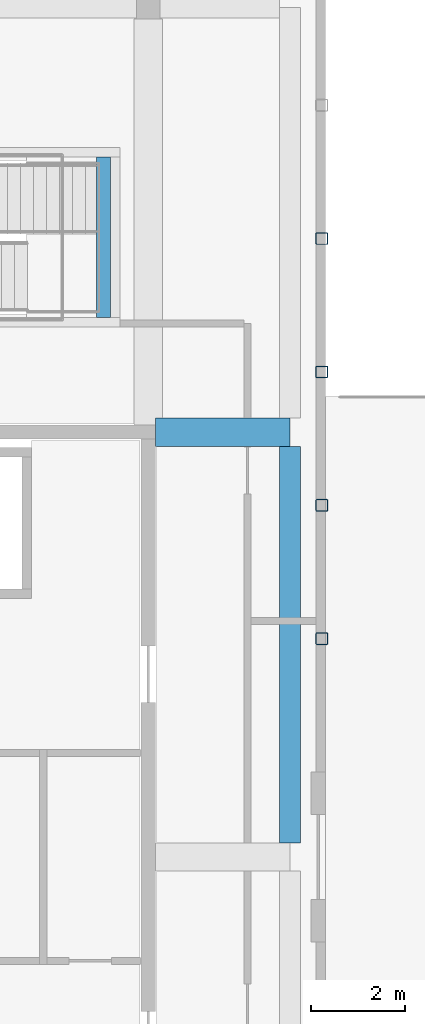
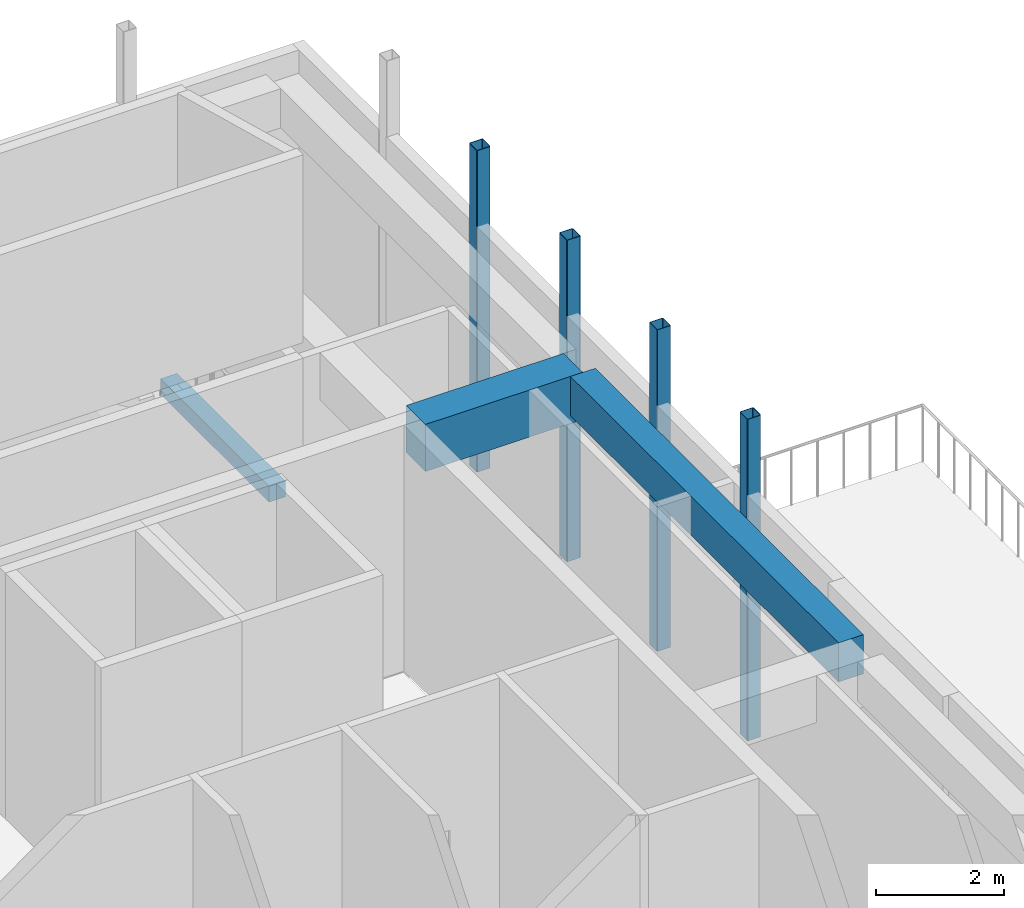
# One storey, part 5 of 11: 4 members, 3 beams.
"""IFC4 building model written with IfcOpenShell, lengths in metres."""

from ifc_helpers import new_model, si_unit, direction, frame, origin, origin_2d, place, context, subcontext, project, spatial, rectangle, hollow_rectangle, extrude, material, material_profile, profile_set, type_object, element, save


model = new_model("IFC4")

# Units and contexts
model_context = context("Model", 3, precision=1e-05, world=origin(), true_north=direction((0.0, 1.0)))
body_context = subcontext(model_context, "Body", "Model", "MODEL_VIEW")
ifc_project = project(units=[si_unit("LENGTHUNIT", "METRE"), si_unit("AREAUNIT", "SQUARE_METRE"), si_unit("VOLUMEUNIT", "CUBIC_METRE"), si_unit("PLANEANGLEUNIT", "RADIAN"), si_unit("MASSUNIT", "GRAM", prefix="KILO")], contexts=[model_context])

# Site, building, storey
site_placement = place(None, origin())
site = spatial("IfcSite", under=ifc_project, at=site_placement, CompositionType="ELEMENT")
building_placement = place(site_placement, origin())
building = spatial("IfcBuilding", under=site, at=building_placement, Name="Tuart Plaza Theatre", CompositionType="ELEMENT")
storey_placement = place(building_placement, frame((0.0, 0.0, 65.5)))
storey = spatial("IfcBuildingStorey", under=building, at=storey_placement, Name="L16", CompositionType="ELEMENT", Elevation=65.5)

# Beams
ifc_material_1 = material(Name="Concrete N40 (40 MPa)", Category="concrete")
ifc_material_profile_1 = material_profile(ifc_material_1, rectangle(XDim=0.300048828125, YDim=0.300048828125, at=origin_2d()), Name="BEAM 300x300 Concrete N40 (40 MPa)")
ifc_profile_set_1 = profile_set([ifc_material_profile_1], Name="Concrete N40 (40 MPa)")
beam_type_1 = type_object("IfcBeamType", Name="BEAM 300x300 Concrete N40 (40 MPa)", PredefinedType="BEAM", material=ifc_profile_set_1)
beam_1_placement = place(storey_placement, frame((140.048095703125, 85.425048828125, 2.14990234375), z_axis=(0.0, 1.0, 0.0), x_axis=(-1.0, 0.0, 0.0)))
element("IfcBeam", 1, at=beam_1_placement, inside=storey, type_object=beam_type_1, Name="RB549", PredefinedType="BEAM", context=body_context, shape_type="SweptSolid", body=[
    extrude(rectangle(XDim=0.300048828125, YDim=0.300048828125, at=origin_2d()), origin(), (0.0, 0.0, 1.0), 3.39990234375),
])
ifc_material_2 = material(Name="Concrete N40 (40 MPa)", Category="concrete")
ifc_material_profile_2 = material_profile(ifc_material_2, rectangle(XDim=0.449951171875, YDim=0.75, at=origin_2d()), Name="BEAM 450x750 Concrete N40 (40 MPa)")
ifc_profile_set_2 = profile_set([ifc_material_profile_2], Name="Concrete N40 (40 MPa)")
beam_type_2 = type_object("IfcBeamType", Name="BEAM 450x750 Concrete N40 (40 MPa)", PredefinedType="BEAM", material=ifc_profile_set_2)
beam_2_placement = place(storey_placement, frame((144.0, 74.300048828125, 4.324951171875), z_axis=(0.0, 1.0, 0.0), x_axis=(-1.0, 0.0, 0.0)))
element("IfcBeam", 2, at=beam_2_placement, inside=storey, type_object=beam_type_2, Name="RB377", PredefinedType="BEAM", context=body_context, shape_type="SweptSolid", body=[
    extrude(rectangle(XDim=0.449951171875, YDim=0.75, at=origin_2d()), origin(), (0.0, 0.0, 1.0), 8.39990234375),
])
ifc_material_3 = material(Name="Concrete N40 (40 MPa)", Category="concrete")
ifc_material_profile_3 = material_profile(ifc_material_3, rectangle(XDim=0.60009765625, YDim=0.89990234375, at=origin_2d()), Name="BEAM 600x900 Concrete N40 (40 MPa)")
ifc_profile_set_3 = profile_set([ifc_material_profile_3], Name="Concrete N40 (40 MPa)")
beam_type_3 = type_object("IfcBeamType", Name="BEAM 600x900 Concrete N40 (40 MPa)", PredefinedType="BEAM", material=ifc_profile_set_3)
beam_3_placement = place(storey_placement, frame((141.14990234375, 83.0, 4.25), z_axis=(1.0, 0.0, 0.0), x_axis=(0.0, 1.0, 0.0)))
element("IfcBeam", 3, at=beam_3_placement, inside=storey, type_object=beam_type_3, Name="RB374", PredefinedType="BEAM", context=body_context, shape_type="SweptSolid", body=[
    extrude(rectangle(XDim=0.60009765625, YDim=0.89990234375, at=origin_2d()), origin(), (0.0, 0.0, 1.0), 2.85009765625),
])

# Members
ifc_material_4 = material(Name="Steel Grade C350L0", Category="steel")
ifc_material_profile_4 = material_profile(ifc_material_4, hollow_rectangle(XDim=0.25, YDim=0.25, WallThickness=0.010009765625, InnerFilletRadius=0.010009765625, OuterFilletRadius=0.02001953125, at=origin_2d()), Name="250x250x10 SHS")
ifc_profile_set_4 = profile_set([ifc_material_profile_4], Name="Steel Grade C350L0")
member_type = type_object("IfcMemberType", Name="PLANT SCREEN Fin 250x250x10 SHS", PredefinedType="POST", material=ifc_profile_set_4)
for number, where, z_axis, x_axis, name in (
    (4, (144.675048828125, 78.625, 0.0), (0.0, 0.0, 1.0), (1.0, 0.0, 0.0), "PO241"),
    (5, (144.675048828125, 81.449951171875, 0.0), (0.0, 0.0, 1.0), (1.0, 0.0, 0.0), "PO241"),
    (6, (144.675048828125, 84.27490234375, 0.0), (0.0, 0.0, 1.0), (1.0, 0.0, 0.0), "PO241"),
    (7, (144.675048828125, 87.10009765625, 0.0), (0.0, 0.0, 1.0), (1.0, 0.0, 0.0), "PO241"),
):
    element("IfcMember", number, at=place(storey_placement, frame(where, z_axis=z_axis, x_axis=x_axis)), inside=storey, type_object=member_type, Name=name, PredefinedType="POST", context=body_context, shape_type="SweptSolid", body=[
        extrude(hollow_rectangle(XDim=0.25, YDim=0.25, WallThickness=0.010009765625, InnerFilletRadius=0.010009765625, OuterFilletRadius=0.02001953125, at=origin_2d()), origin(), (0.0, 0.0, 1.0), 6.14990234375),
    ])

save(model, "model.ifc")
